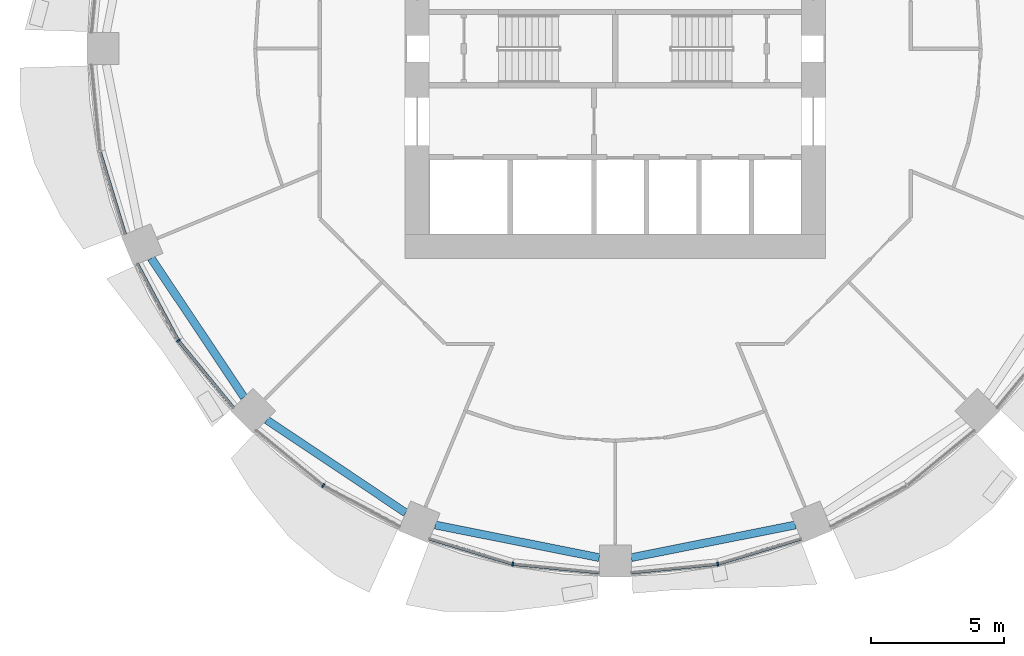
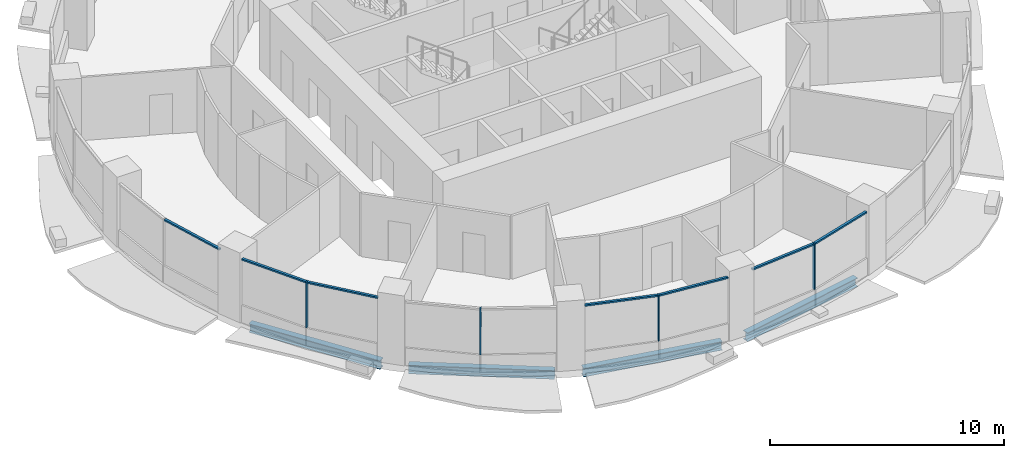
# One storey, part 2 of 15: 11 members, 4 beams, 5 elements without a shape of their own.
"""IFC4 building model written with IfcOpenShell, lengths in metres."""

from ifc_helpers import new_model, si_unit, direction, frame, origin, origin_2d, place, context, subcontext, project, spatial, rectangle, i_section, extrude, material, material_profile, profile_set, type_object, element, aggregate, save


model = new_model("IFC4")

# Units and contexts
model_context = context("Model", 3, precision=1e-05, world=origin(), true_north=direction((0.0, 1.0)))
body_context = subcontext(model_context, "Body", "Model", "MODEL_VIEW")
ifc_project = project(units=[si_unit("LENGTHUNIT", "METRE"), si_unit("AREAUNIT", "SQUARE_METRE"), si_unit("VOLUMEUNIT", "CUBIC_METRE"), si_unit("PLANEANGLEUNIT", "RADIAN"), si_unit("MASSUNIT", "GRAM", prefix="KILO")], contexts=[model_context])

# Site, building, storey
site_placement = place(None, origin())
site = spatial("IfcSite", under=ifc_project, at=site_placement, CompositionType="ELEMENT")
building_placement = place(site_placement, origin())
building = spatial("IfcBuilding", under=site, at=building_placement, Name="Polderwave Tower", CompositionType="ELEMENT")
storey_placement = place(building_placement, frame((0.0, 0.0, 26.199951171875)))
storey = spatial("IfcBuildingStorey", under=building, at=storey_placement, Name="L06", CompositionType="ELEMENT", Elevation=26.199951171875)

# Curtain wall, member
ifc_material_1 = material(Name="Aluminium 6063-T6 and glass", Category="aluminium")
curtain_wall_type = type_object("IfcCurtainWallType", Name="Growing floor ribbon glazing wall", PredefinedType="NOTDEFINED", material=ifc_material_1)
curtain_wall_1_placement = place(storey_placement, origin())
curtain_wall_1 = element("IfcCurtainWall", 1, at=curtain_wall_1_placement, inside=storey, type_object=curtain_wall_type, Name="CW2 L06 09", PredefinedType="NOTDEFINED")
ifc_material_2 = material(Name="Aluminium 6063-T6", Category="aluminium")
ifc_material_profile_1 = material_profile(ifc_material_2, rectangle(XDim=0.14990234375, YDim=0.06005859375, at=origin_2d()), Name="AL 60x150")
ifc_profile_set_1 = profile_set([ifc_material_profile_1], Name="Aluminium 6063-T6")
member_type_1 = type_object("IfcMemberType", Name="Growing floor ribbon glazing mullion 60x150", PredefinedType="MULLION", material=ifc_profile_set_1)
member_1_placement = place(storey_placement, frame((-16.3798828125, -10.945068359375, 0.900146484375), z_axis=(0.0, 0.0, 1.0), x_axis=(0.831436642637, 0.555619572441, 0.0)))
member_1 = element("IfcMember", 2, at=member_1_placement, type_object=member_type_1, Name="CW2 mullion 1", PredefinedType="MULLION", context=body_context, shape_type="SweptSolid", body=[
    extrude(rectangle(XDim=0.14990234375, YDim=0.06005859375, at=origin_2d()), origin(), (0.0, 0.0, 1.0), 2.39990234375),
])

curtain_wall_2_placement = place(storey_placement, origin())
curtain_wall_2 = element("IfcCurtainWall", 3, at=curtain_wall_2_placement, inside=storey, type_object=curtain_wall_type, Name="CW2 L06 10", PredefinedType="NOTDEFINED")
member_2_placement = place(storey_placement, frame((-10.945068359375, -16.3798828125, 0.900146484375), z_axis=(0.0, 0.0, 1.0), x_axis=(0.555619572441, 0.831436642637, 0.0)))
member_2 = element("IfcMember", 4, at=member_2_placement, type_object=member_type_1, Name="CW2 mullion 1", PredefinedType="MULLION", context=body_context, shape_type="SweptSolid", body=[
    extrude(rectangle(XDim=0.14990234375, YDim=0.06005859375, at=origin_2d()), origin(), (0.0, 0.0, 1.0), 2.39990234375),
])
aggregate(curtain_wall_2, [member_2])

curtain_wall_3_placement = place(storey_placement, origin())
curtain_wall_3 = element("IfcCurtainWall", 5, at=curtain_wall_3_placement, inside=storey, type_object=curtain_wall_type, Name="CW2 L06 11", PredefinedType="NOTDEFINED")
member_3_placement = place(storey_placement, frame((-3.843017578125, -19.321044921875, 0.900146484375), z_axis=(0.0, 0.0, 1.0), x_axis=(0.19515879327, 0.980771658139, 0.0)))
member_3 = element("IfcMember", 6, at=member_3_placement, type_object=member_type_1, Name="CW2 mullion 1", PredefinedType="MULLION", context=body_context, shape_type="SweptSolid", body=[
    extrude(rectangle(XDim=0.14990234375, YDim=0.06005859375, at=origin_2d()), origin(), (0.0, 0.0, 1.0), 2.39990234375),
])

curtain_wall_4_placement = place(storey_placement, origin())
curtain_wall_4 = element("IfcCurtainWall", 7, at=curtain_wall_4_placement, inside=storey, type_object=curtain_wall_type, Name="CW2 L06 12", PredefinedType="NOTDEFINED")
member_4_placement = place(storey_placement, frame((3.843017578125, -19.321044921875, 0.900146484375), z_axis=(0.0, 0.0, 1.0), x_axis=(-0.19515879327, 0.980771658139, 0.0)))
member_4 = element("IfcMember", 8, at=member_4_placement, type_object=member_type_1, Name="CW2 mullion 1", PredefinedType="MULLION", context=body_context, shape_type="SweptSolid", body=[
    extrude(rectangle(XDim=0.14990234375, YDim=0.06005859375, at=origin_2d()), origin(), (0.0, 0.0, 1.0), 2.39990234375),
])

curtain_wall_5_placement = place(storey_placement, origin())
curtain_wall_5 = element("IfcCurtainWall", 9, at=curtain_wall_5_placement, inside=storey, type_object=curtain_wall_type, Name="CW2 L06 08", PredefinedType="NOTDEFINED")
ifc_material_profile_2 = material_profile(ifc_material_2, rectangle(XDim=0.1201171875, YDim=0.080078125, at=origin_2d()), Name="AL 80x120")
ifc_profile_set_2 = profile_set([ifc_material_profile_2], Name="Aluminium 6063-T6")
member_type_2 = type_object("IfcMemberType", Name="Growing floor ribbon glazing transom 80x120", PredefinedType="USERDEFINED", material=ifc_profile_set_2)
member_5_placement = place(storey_placement, frame((-19.312255859375, -3.87158203125, 3.260009765625), z_axis=(0.290231901029, -0.956956343636, 0.0), x_axis=(0.956956343636, 0.290231901029, 0.0)))
member_5 = element("IfcMember", 10, at=member_5_placement, type_object=member_type_2, Name="CW2 transom 2", ObjectType="TRANSOM", PredefinedType="USERDEFINED", context=body_context, shape_type="SweptSolid", body=[
    extrude(rectangle(XDim=0.1201171875, YDim=0.080078125, at=origin_2d()), origin(), (0.0, 0.0, 1.0), 3.229248046875),
])
aggregate(curtain_wall_5, [member_5])

# Member
member_6_placement = place(storey_placement, frame((-17.916015625, -8.071044921875, 3.260009765625), z_axis=(0.471396538118, -0.88192137056, 0.0), x_axis=(0.88192137056, 0.471396538118, 0.0)))
member_6 = element("IfcMember", 11, at=member_6_placement, type_object=member_type_2, Name="CW2 transom 1", ObjectType="TRANSOM", PredefinedType="USERDEFINED", context=body_context, shape_type="SweptSolid", body=[
    extrude(rectangle(XDim=0.1201171875, YDim=0.080078125, at=origin_2d()), origin(), (0.0, 0.0, 1.0), 3.228759765625),
])

member_7_placement = place(storey_placement, frame((-16.361083984375, -10.96826171875, 3.260009765625), z_axis=(0.634537869946, -0.772891772245, 0.0), x_axis=(0.772891772245, 0.634537869946, 0.0)))
member_7 = element("IfcMember", 12, at=member_7_placement, type_object=member_type_2, Name="CW2 transom 2", ObjectType="TRANSOM", PredefinedType="USERDEFINED", context=body_context, shape_type="SweptSolid", body=[
    extrude(rectangle(XDim=0.1201171875, YDim=0.080078125, at=origin_2d()), origin(), (0.0, 0.0, 1.0), 3.229248046875),
])

aggregate(curtain_wall_1, [member_1, member_6, member_7])

member_8_placement = place(storey_placement, frame((-6.9619140625, -18.375, 3.260009765625), z_axis=(0.956956343636, -0.290231901029, 0.0), x_axis=(0.290231901029, 0.956956343636, 0.0)))
member_8 = element("IfcMember", 13, at=member_8_placement, type_object=member_type_2, Name="CW2 transom 1", ObjectType="TRANSOM", PredefinedType="USERDEFINED", context=body_context, shape_type="SweptSolid", body=[
    extrude(rectangle(XDim=0.1201171875, YDim=0.080078125, at=origin_2d()), origin(), (0.0, 0.0, 1.0), 3.229248046875),
])

member_9_placement = place(storey_placement, frame((-3.81298828125, -19.323974609375, 3.260009765625), z_axis=(0.995163657896, -0.098230820031, 0.0), x_axis=(0.098230820031, 0.995163657896, 0.0)))
member_9 = element("IfcMember", 14, at=member_9_placement, type_object=member_type_2, Name="CW2 transom 2", ObjectType="TRANSOM", PredefinedType="USERDEFINED", context=body_context, shape_type="SweptSolid", body=[
    extrude(rectangle(XDim=0.1201171875, YDim=0.080078125, at=origin_2d()), origin(), (0.0, 0.0, 1.0), 3.228515625),
])

aggregate(curtain_wall_3, [member_3, member_8, member_9])

member_10_placement = place(storey_placement, frame((0.60009765625, -19.64111328125, 3.260009765625), z_axis=(0.995163657896, 0.098230820031, 0.0), x_axis=(-0.098230820031, 0.995163657896, 0.0)))
member_10 = element("IfcMember", 15, at=member_10_placement, type_object=member_type_2, Name="CW2 transom 1", ObjectType="TRANSOM", PredefinedType="USERDEFINED", context=body_context, shape_type="SweptSolid", body=[
    extrude(rectangle(XDim=0.1201171875, YDim=0.080078125, at=origin_2d()), origin(), (0.0, 0.0, 1.0), 3.228515625),
])

member_11_placement = place(storey_placement, frame((3.87158203125, -19.312255859375, 3.260009765625), z_axis=(0.956956343636, 0.290231901029, 0.0), x_axis=(-0.290231901029, 0.956956343636, 0.0)))
member_11 = element("IfcMember", 16, at=member_11_placement, type_object=member_type_2, Name="CW2 transom 2", ObjectType="TRANSOM", PredefinedType="USERDEFINED", context=body_context, shape_type="SweptSolid", body=[
    extrude(rectangle(XDim=0.1201171875, YDim=0.080078125, at=origin_2d()), origin(), (0.0, 0.0, 1.0), 3.229248046875),
])

aggregate(curtain_wall_4, [member_4, member_10, member_11])

# Beams
ifc_material_3 = material(Name="Steel S355", Category="steel")
ifc_material_profile_3 = material_profile(ifc_material_3, i_section(OverallWidth=0.300048828125, OverallDepth=0.449951171875, WebThickness=0.013916015625, FlangeThickness=0.02587890625, at=origin_2d()), Name="HE 450 B")
ifc_profile_set_3 = profile_set([ifc_material_profile_3], Name="Steel S355")
beam_type = type_object("IfcBeamType", Name="RING BEAM HE 450 B", PredefinedType="BEAM", material=ifc_profile_set_3)
for number, where, z_axis, x_axis, name in (
    (17, (-17.398681640625, -7.856201171875, -0.574951171875), (0.555580751359, -0.831462584076, 0.0), (0.831462584076, 0.555580751359, 0.0), "ST-RB-L06-09"),
    (18, (-13.06787109375, -13.916259765625, -0.574951171875), (0.831462584076, -0.555580751359, 0.0), (0.555580751359, 0.831462584076, 0.0), "ST-RB-L06-10"),
):
    element("IfcBeam", number, at=place(storey_placement, frame(where, z_axis=z_axis, x_axis=x_axis)), inside=storey, type_object=beam_type, Name=name, PredefinedType="BEAM", context=body_context, shape_type="SweptSolid", body=[
        extrude(i_section(OverallWidth=0.300048828125, OverallDepth=0.449951171875, WebThickness=0.013916015625, FlangeThickness=0.02587890625, at=origin_2d()), origin(), (0.0, 0.0, 1.0), 6.26806640625),
    ])
for number, where, z_axis, x_axis, name in (
    (19, (-6.74755859375, -17.85791015625, -0.574951171875), (0.98078985187, -0.195067338291, 0.0), (0.195067338291, 0.98078985187, 0.0), "ST-RB-L06-11"),
    (20, (0.60009765625, -19.08056640625, -0.574951171875), (0.98078985187, 0.195067338291, 0.0), (-0.195067338291, 0.98078985187, 0.0), "ST-RB-L06-12"),
):
    element("IfcBeam", number, at=place(storey_placement, frame(where, z_axis=z_axis, x_axis=x_axis)), inside=storey, type_object=beam_type, Name=name, PredefinedType="BEAM", context=body_context, shape_type="SweptSolid", body=[
        extrude(i_section(OverallWidth=0.300048828125, OverallDepth=0.449951171875, WebThickness=0.013916015625, FlangeThickness=0.02587890625, at=origin_2d()), origin(), (0.0, 0.0, 1.0), 6.267822265625),
    ])

save(model, "model.ifc")
